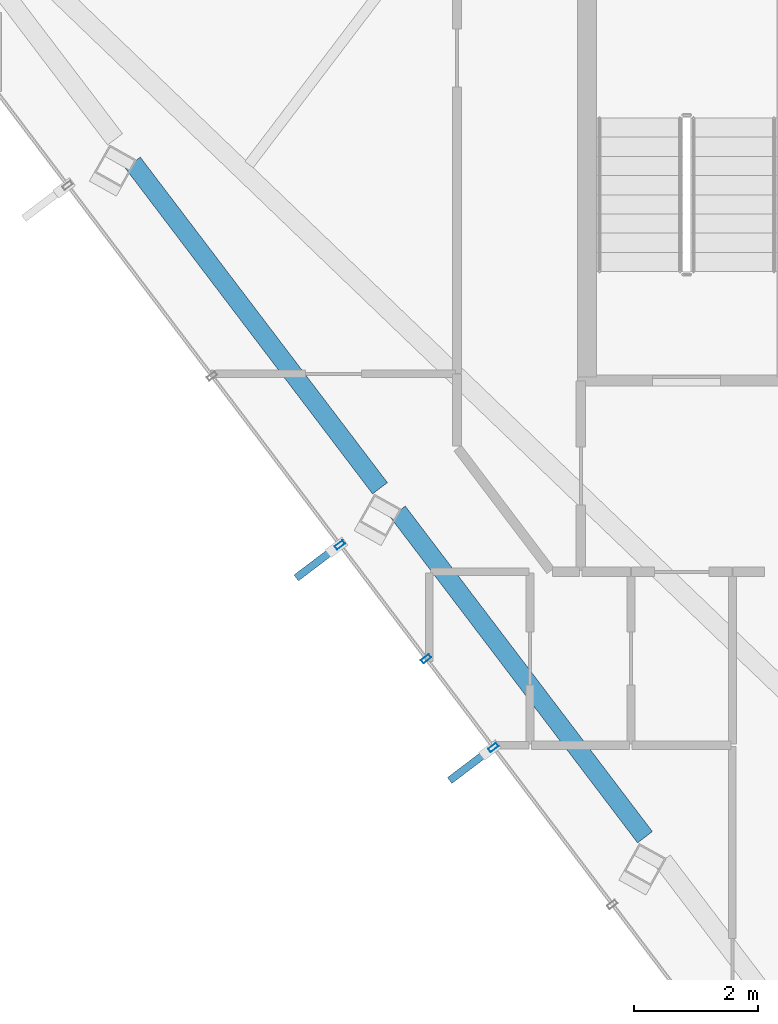
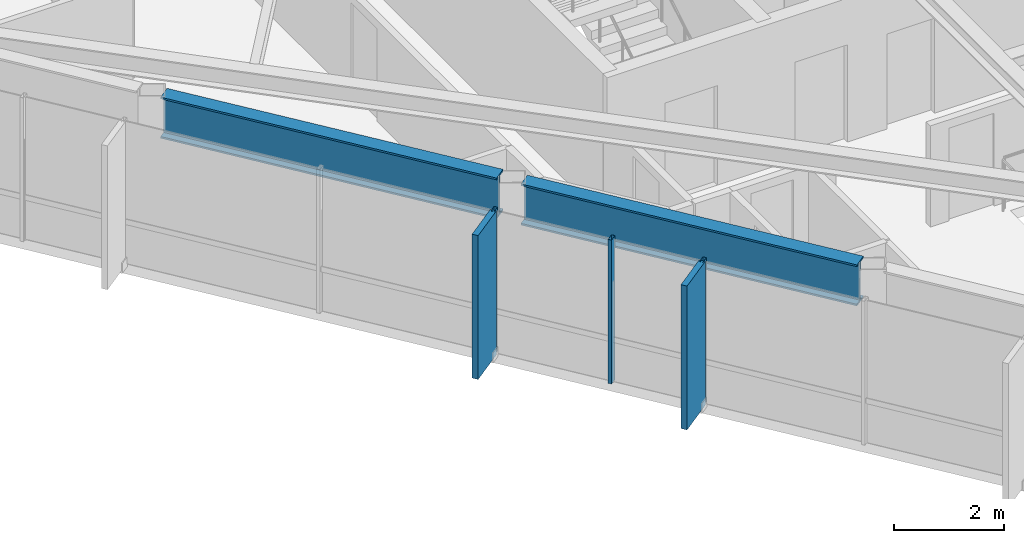
# One storey, part 3 of 26: 5 members, 2 beams, 1 element without a shape of its own.
"""IFC4 building model written with IfcOpenShell, lengths in metres."""

from ifc_helpers import new_model, si_unit, direction, frame, origin, origin_2d, place, context, subcontext, project, spatial, rectangle, hollow_rectangle, i_section, extrude, material, layer, layer_set, material_profile, profile_set, type_object, element, aggregate, save


model = new_model("IFC4")

# Units and contexts
model_context = context("Model", 3, precision=1e-05, world=origin(), true_north=direction((0.0, 1.0)))
body_context = subcontext(model_context, "Body", "Model", "MODEL_VIEW")
ifc_project = project(units=[si_unit("LENGTHUNIT", "METRE"), si_unit("AREAUNIT", "SQUARE_METRE"), si_unit("VOLUMEUNIT", "CUBIC_METRE"), si_unit("PLANEANGLEUNIT", "RADIAN"), si_unit("MASSUNIT", "GRAM", prefix="KILO")], contexts=[model_context])

# Site, building, storey
site_placement = place(None, origin())
site = spatial("IfcSite", under=ifc_project, at=site_placement, CompositionType="ELEMENT")
building_placement = place(site_placement, origin())
building = spatial("IfcBuilding", under=site, at=building_placement, Name="Zarrinselat Tower", CompositionType="ELEMENT")
storey_placement = place(building_placement, frame((0.0, 0.0, 265.199951171875)))
storey = spatial("IfcBuildingStorey", under=building, at=storey_placement, Name="L67", CompositionType="ELEMENT", Elevation=265.199951171875)

# Beams
ifc_material_1 = material(Name="Steel S460M", Category="steel")
ifc_material_profile_1 = material_profile(ifc_material_1, i_section(OverallWidth=0.302001953125, OverallDepth=0.909912109375, WebThickness=0.02099609375, FlangeThickness=0.0400390625, at=origin_2d()), Name="HEM 900")
ifc_profile_set_1 = profile_set([ifc_material_profile_1], Name="Steel S460M")
beam_type = type_object("IfcBeamType", Name="BM-HEM900", PredefinedType="BEAM", material=ifc_profile_set_1)
beam_1_placement = place(storey_placement, frame((21.314697265625, 36.756591796875, 2.72509765625), z_axis=(0.604776578329, -0.796395184757, 0.0), x_axis=(0.796395184757, 0.604776578329, 0.0)))
element("IfcBeam", 1, at=beam_1_placement, inside=storey, type_object=beam_type, Name="L67 Perimeter Spandrel Girder SP07", PredefinedType="BEAM", context=body_context, shape_type="SweptSolid", body=[
    extrude(i_section(OverallWidth=0.302001953125, OverallDepth=0.909912109375, WebThickness=0.02099609375, FlangeThickness=0.0400390625, at=origin_2d()), origin(), (0.0, 0.0, 1.0), 6.60107421875),
])
beam_2_placement = place(storey_placement, frame((25.5947265625, 31.12060546875, 2.72509765625), z_axis=(0.604800035021, -0.796377371375, 0.0), x_axis=(0.796377371375, 0.604800035021, 0.0)))
element("IfcBeam", 2, at=beam_2_placement, inside=storey, type_object=beam_type, Name="L67 Perimeter Spandrel Girder SP08", PredefinedType="BEAM", context=body_context, shape_type="SweptSolid", body=[
    extrude(i_section(OverallWidth=0.302001953125, OverallDepth=0.909912109375, WebThickness=0.02099609375, FlangeThickness=0.0400390625, at=origin_2d()), origin(), (0.0, 0.0, 1.0), 6.601318359375),
])

# Curtain wall, members
ifc_material_2 = material(Name="Extruded Aluminium Alloy EN AW-6063 T6", Category="aluminium")
ifc_layer = layer(ifc_material_2, 0.169921875)
ifc_layer_set = layer_set([ifc_layer], Name="Extruded Aluminium Alloy EN AW-6063 T6")
curtain_wall_type = type_object("IfcCurtainWallType", Name="CWS-RES", PredefinedType="NOTDEFINED", material=ifc_layer_set)
curtain_wall_placement = place(storey_placement, origin())
curtain_wall = element("IfcCurtainWall", 3, at=curtain_wall_placement, inside=storey, type_object=curtain_wall_type, Name="L67 Unitised Curtain Wall CW-L67-E03", PredefinedType="NOTDEFINED")
ifc_material_3 = material(Name="Extruded Aluminium Alloy EN AW-6063 T6", Category="aluminium")
ifc_material_profile_2 = material_profile(ifc_material_3, hollow_rectangle(XDim=0.070068359375, YDim=0.159912109375, WallThickness=0.00390625, at=origin_2d()), Name="RHS 160x70x4")
ifc_profile_set_2 = profile_set([ifc_material_profile_2], Name="Extruded Aluminium Alloy EN AW-6063 T6")
member_type_1 = type_object("IfcMemberType", Name="MEM-CW-MUL2", PredefinedType="MULLION", material=ifc_profile_set_2)
member_1_placement = place(storey_placement, frame((24.65869140625, 30.585205078125, 0.0), z_axis=(0.0, 0.0, 1.0), x_axis=(0.603858282603, -0.797091697694, 0.0)))
member_1 = element("IfcMember", 4, at=member_1_placement, type_object=member_type_1, Name="CW-L67-E03 Mullion 5", PredefinedType="MULLION", context=body_context, shape_type="SweptSolid", body=[
    extrude(hollow_rectangle(XDim=0.070068359375, YDim=0.159912109375, WallThickness=0.00390625, at=origin_2d()), origin(), (0.0, 0.0, 1.0), 3.179931640625),
])
member_2_placement = place(storey_placement, frame((26.05224609375, 28.745849609375, 0.0), z_axis=(0.0, 0.0, 1.0), x_axis=(0.603858282603, -0.797091697694, 0.0)))
member_2 = element("IfcMember", 5, at=member_2_placement, type_object=member_type_1, Name="CW-L67-E03 Mullion 6", PredefinedType="MULLION", context=body_context, shape_type="SweptSolid", body=[
    extrude(hollow_rectangle(XDim=0.070068359375, YDim=0.159912109375, WallThickness=0.00390625, at=origin_2d()), origin(), (0.0, 0.0, 1.0), 3.179931640625),
])
member_3_placement = place(storey_placement, frame((27.13720703125, 27.313720703125, 0.0), z_axis=(0.0, 0.0, 1.0), x_axis=(0.603858282603, -0.797091697694, 0.0)))
member_3 = element("IfcMember", 6, at=member_3_placement, type_object=member_type_1, Name="CW-L67-E03 Mullion 7", PredefinedType="MULLION", context=body_context, shape_type="SweptSolid", body=[
    extrude(hollow_rectangle(XDim=0.070068359375, YDim=0.159912109375, WallThickness=0.00390625, at=origin_2d()), origin(), (0.0, 0.0, 1.0), 3.179931640625),
])
ifc_material_4 = material(Name="Honed Cream Travertine Stone", Category="masonry")
ifc_material_profile_3 = material_profile(ifc_material_4, rectangle(XDim=0.1201171875, YDim=0.85009765625, at=origin_2d()), Name="FIN 850x120")
ifc_profile_set_3 = profile_set([ifc_material_profile_3], Name="Honed Cream Travertine Stone")
member_type_2 = type_object("IfcMemberType", Name="MEM-STONE-FIN", PredefinedType="USERDEFINED", material=ifc_profile_set_3)
member_4_placement = place(storey_placement, frame((24.2919921875, 30.3076171875, 0.0), z_axis=(0.0, 0.0, 1.0), x_axis=(-0.603858282603, 0.797091697694, 0.0)))
member_4 = element("IfcMember", 7, at=member_4_placement, type_object=member_type_2, Name="L67 Stone Shading Fin CW-L67-E03-05", ObjectType="FIN", PredefinedType="USERDEFINED", context=body_context, shape_type="SweptSolid", body=[
    extrude(rectangle(XDim=0.1201171875, YDim=0.85009765625, at=origin_2d()), origin(), (0.0, 0.0, 1.0), 3.179931640625),
])
member_5_placement = place(storey_placement, frame((26.7705078125, 27.035888671875, 0.0), z_axis=(0.0, 0.0, 1.0), x_axis=(-0.603858282603, 0.797091697694, 0.0)))
member_5 = element("IfcMember", 8, at=member_5_placement, type_object=member_type_2, Name="L67 Stone Shading Fin CW-L67-E03-07", ObjectType="FIN", PredefinedType="USERDEFINED", context=body_context, shape_type="SweptSolid", body=[
    extrude(rectangle(XDim=0.1201171875, YDim=0.85009765625, at=origin_2d()), origin(), (0.0, 0.0, 1.0), 3.179931640625),
])
aggregate(curtain_wall, [member_1, member_4, member_2, member_3, member_5])

save(model, "model.ifc")
